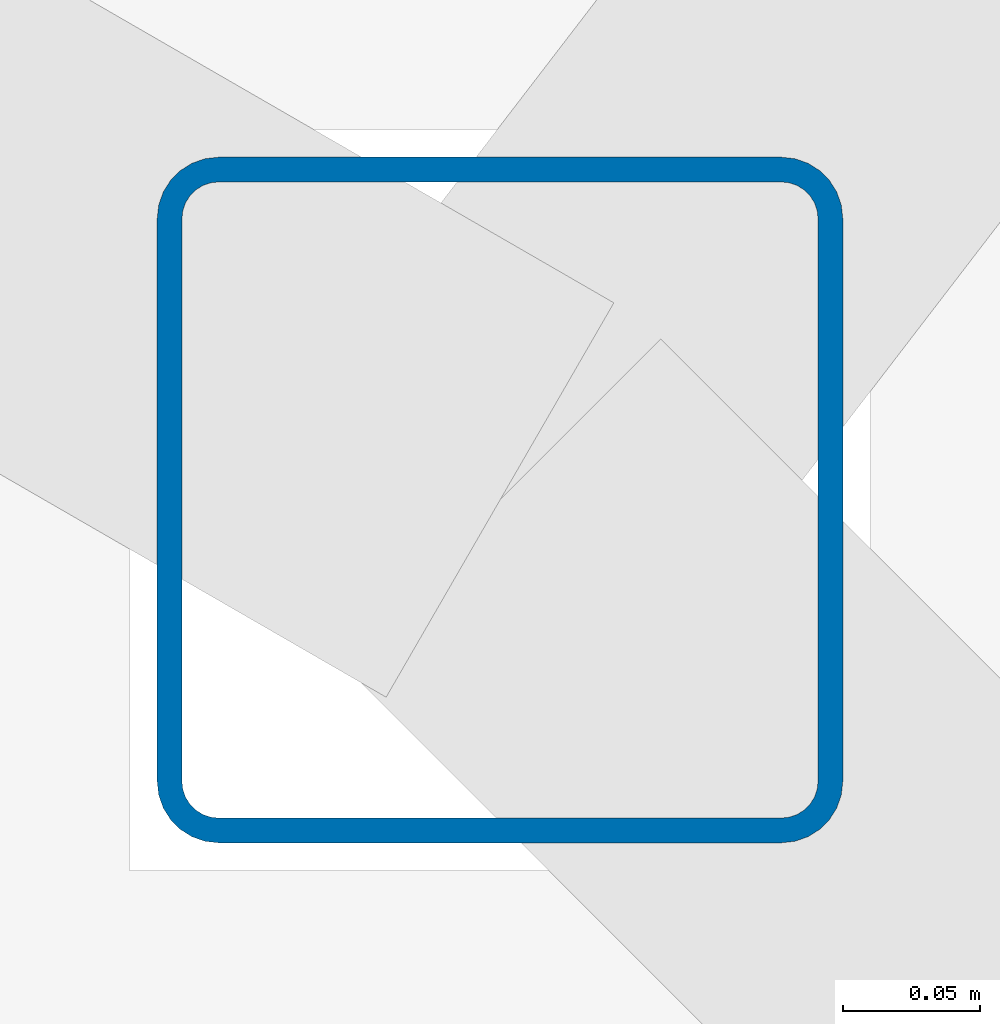
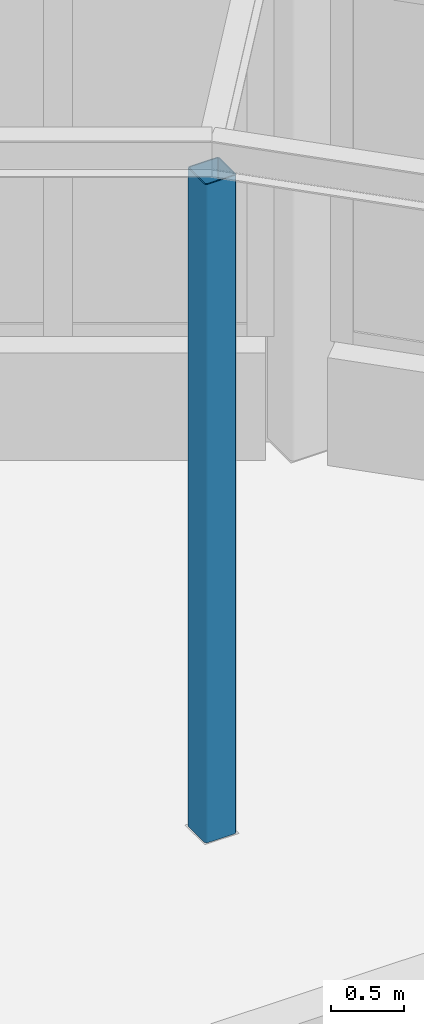
# One storey, part 10 of 106: 1 column.
"""IFC4 building model written with IfcOpenShell, lengths in metres."""

from ifc_helpers import new_model, si_unit, direction, frame, origin, origin_2d, place, context, subcontext, project, spatial, hollow_rectangle, extrude, material, material_profile, profile_set, type_object, element, save


model = new_model("IFC4")

# Units and contexts
model_context = context("Model", 3, precision=1e-05, world=origin(), true_north=direction((0.0, 1.0)))
body_context = subcontext(model_context, "Body", "Model", "MODEL_VIEW")
ifc_project = project(units=[si_unit("LENGTHUNIT", "METRE"), si_unit("AREAUNIT", "SQUARE_METRE"), si_unit("VOLUMEUNIT", "CUBIC_METRE"), si_unit("PLANEANGLEUNIT", "RADIAN"), si_unit("MASSUNIT", "GRAM", prefix="KILO")], contexts=[model_context])

# Site, building, storey
site_placement = place(None, origin())
site = spatial("IfcSite", under=ifc_project, at=site_placement, CompositionType="ELEMENT")
building_placement = place(site_placement, origin())
building = spatial("IfcBuilding", under=site, at=building_placement, Name="Hortulan Conservatory and Botanical Research Centre", CompositionType="ELEMENT")
storey_placement = place(building_placement, origin())
storey = spatial("IfcBuildingStorey", under=building, at=storey_placement, Name="L00", CompositionType="ELEMENT", Elevation=0.0)

# Column
ifc_material = material(Name="Steel Grade C450L0 (450 MPa, AS/NZS 1163)", Category="steel")
ifc_material_profile = material_profile(ifc_material, hollow_rectangle(XDim=0.25, YDim=0.25, WallThickness=0.009033203125, InnerFilletRadius=0.013427734375, OuterFilletRadius=0.0224609375, at=origin_2d()), Name="250x250x9SHS")
ifc_profile_set = profile_set([ifc_material_profile], Name="Steel Grade C450L0 (450 MPa, AS/NZS 1163)")
column_type = type_object("IfcColumnType", Name="Dome Walk Support Column 250x250x9 SHS", PredefinedType="COLUMN", material=ifc_profile_set)
column_placement = place(storey_placement, frame((62.21826171875, 28.710205078125, 0.0), z_axis=(0.0, 0.0, 1.0), x_axis=(1.0, 0.0, 0.0)))
element("IfcColumn", 1, at=column_placement, inside=storey, type_object=column_type, Name="Dome walk support 04 L00", PredefinedType="COLUMN", context=body_context, shape_type="SweptSolid", body=[
    extrude(hollow_rectangle(XDim=0.25, YDim=0.25, WallThickness=0.009033203125, InnerFilletRadius=0.013427734375, OuterFilletRadius=0.0224609375, at=origin_2d()), origin(), (0.0, 0.0, 1.0), 5.492919921875),
])

save(model, "model.ifc")
